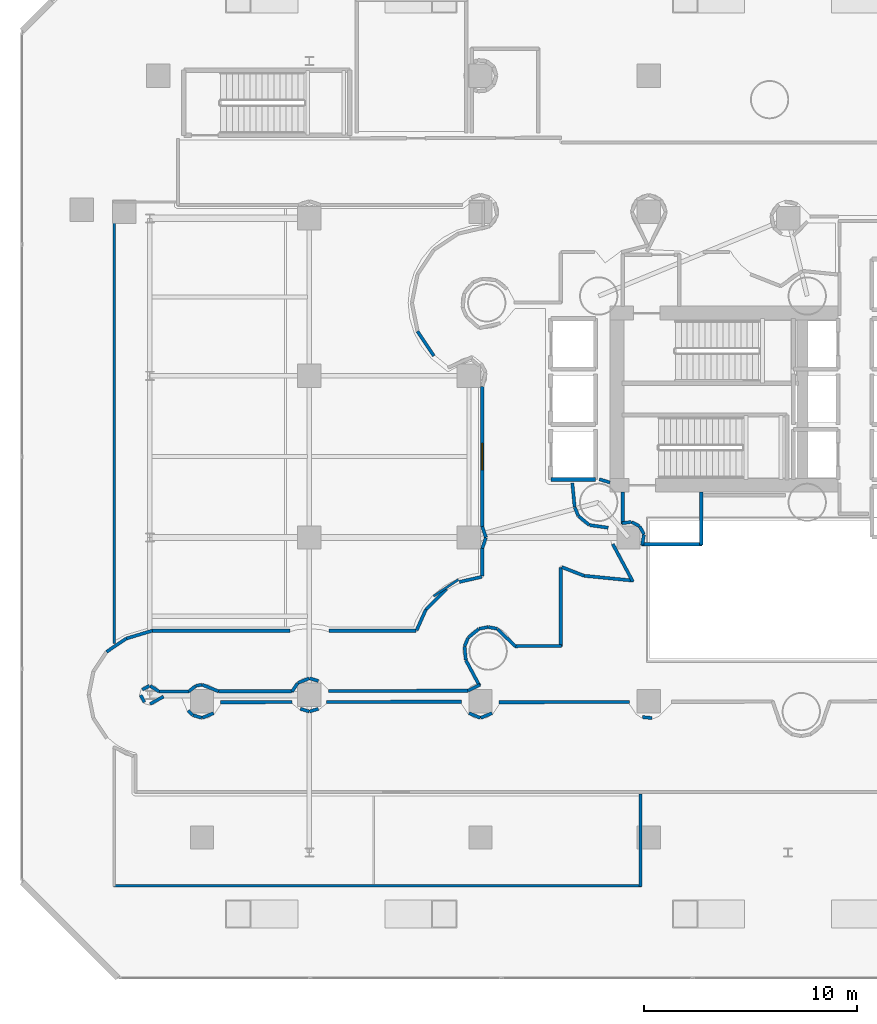
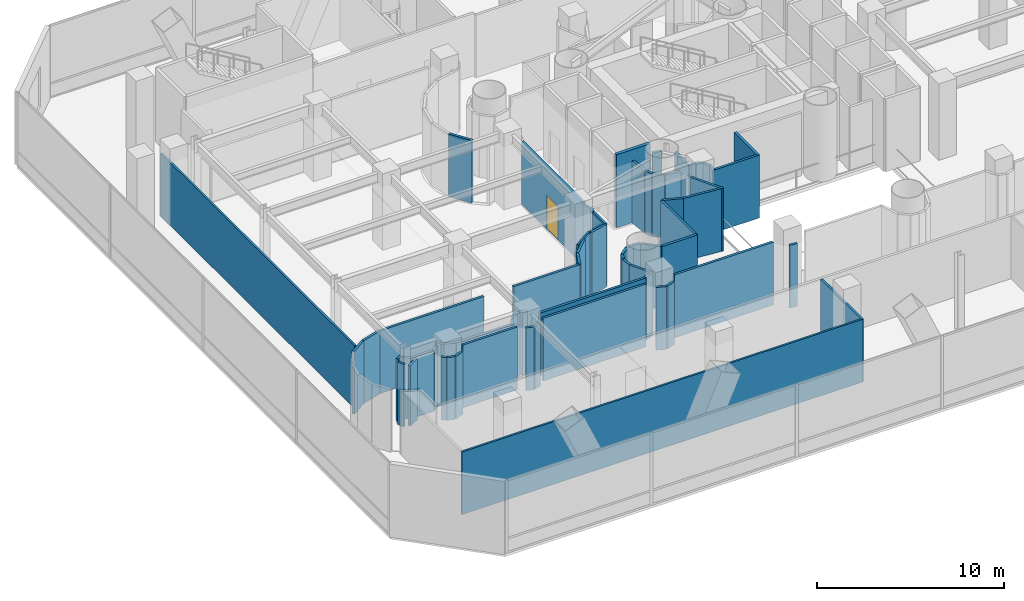
# One storey, part 31 of 42: 66 walls, 1 door, 1 opening.
"""IFC4 building model written with IfcOpenShell, lengths in metres."""

from ifc_helpers import new_model, si_unit, direction, frame, frame_2d, origin, place, context, subcontext, project, spatial, rectangle, extrude, material, layer, layer_set, type_object, element, fill, save


model = new_model("IFC4")

# Units and contexts
model_context = context("Model", 3, precision=1e-05, world=origin(), true_north=direction((0.0, 1.0)))
body_context = subcontext(model_context, "Body", "Model", "MODEL_VIEW")
ifc_project = project(units=[si_unit("LENGTHUNIT", "METRE"), si_unit("AREAUNIT", "SQUARE_METRE"), si_unit("VOLUMEUNIT", "CUBIC_METRE"), si_unit("PLANEANGLEUNIT", "RADIAN"), si_unit("MASSUNIT", "GRAM", prefix="KILO")], contexts=[model_context])

# Site, building, storey
site_placement = place(None, origin())
site = spatial("IfcSite", under=ifc_project, at=site_placement, CompositionType="ELEMENT")
building_placement = place(site_placement, origin())
building = spatial("IfcBuilding", under=site, at=building_placement, Name="Qianvela Tower", CompositionType="ELEMENT")
storey_placement = place(building_placement, frame((0.0, 0.0, 6.0)))
storey = spatial("IfcBuildingStorey", under=building, at=storey_placement, Name="L01", CompositionType="ELEMENT", Elevation=6.0)

# Walls
ifc_material_1 = material(Name="Fire-Rated Acoustic Gypsum Board")
ifc_layer_1 = layer(ifc_material_1, 0.14990234375)
ifc_layer_set_1 = layer_set([ifc_layer_1], Name="Fire-Rated Acoustic Gypsum Board")
wall_type_1 = type_object("IfcWallType", Name="WT-CORR-150", PredefinedType="PARTITIONING", material=ifc_layer_set_1)
wall_1_placement = place(storey_placement, frame((30.644775390625, 21.844970703125, 0.0), z_axis=(0.0, 0.0, 1.0), x_axis=(0.16559769087, 0.986193391165, 0.0)))
element("IfcWall", 1, at=wall_1_placement, inside=storey, type_object=wall_type_1, Name="L01 Partition 5", PredefinedType="PARTITIONING", context=body_context, shape_type="SweptSolid", body=[
    extrude(rectangle(XDim=0.495361328125, YDim=0.14990234375, at=frame_2d((0.24755859375, 0.0))), origin(), (0.0, 0.0, 1.0), 4.10009765625),
])
wall_2_placement = place(storey_placement, frame((30.7236328125, 22.35302734375, 0.0), z_axis=(0.0, 0.0, 1.0), x_axis=(-0.471202615726, 0.882024996773, 0.0)))
element("IfcWall", 2, at=wall_2_placement, inside=storey, type_object=wall_type_1, Name="L01 Partition 6", PredefinedType="PARTITIONING", context=body_context, shape_type="SweptSolid", body=[
    extrude(rectangle(XDim=0.412353515625, YDim=0.14990234375, at=frame_2d((0.2060546875, 0.0))), origin(), (0.0, 0.0, 1.0), 4.10009765625),
])
wall_3_placement = place(storey_placement, frame((30.5166015625, 22.7294921875, 0.0), z_axis=(0.0, 0.0, 1.0), x_axis=(-0.882139655073, 0.470987928665, 0.0)))
element("IfcWall", 3, at=wall_3_placement, inside=storey, type_object=wall_type_1, Name="L01 Partition 7", PredefinedType="PARTITIONING", context=body_context, shape_type="SweptSolid", body=[
    extrude(rectangle(XDim=0.412109375, YDim=0.14990234375, at=frame_2d((0.2060546875, 0.0))), origin(), (0.0, 0.0, 1.0), 4.10009765625),
])
wall_4_placement = place(storey_placement, frame((30.134521484375, 22.927001953125, 0.0), z_axis=(0.0, 0.0, 1.0), x_axis=(-0.992106976416, -0.125394367286, 0.0)))
element("IfcWall", 4, at=wall_4_placement, inside=storey, type_object=wall_type_1, Name="L01 Partition 8", PredefinedType="PARTITIONING", context=body_context, shape_type="SweptSolid", body=[
    extrude(rectangle(XDim=0.44189453125, YDim=0.14990234375, at=frame_2d((0.220947265625, 0.0))), origin(), (0.0, 0.0, 1.0), 4.10009765625),
])
wall_5_placement = place(storey_placement, frame((29.73095703125, 22.8408203125, 0.0), z_axis=(0.0, 0.0, 1.0), x_axis=(0.0, 1.0, 0.0)))
element("IfcWall", 5, at=wall_5_placement, inside=storey, type_object=wall_type_1, Name="L01 Partition 9", PredefinedType="PARTITIONING", context=body_context, shape_type="SweptSolid", body=[
    extrude(rectangle(XDim=1.501220703125, YDim=0.14990234375, at=frame_2d((0.75048828125, 0.0))), origin(), (0.0, 0.0, 1.0), 4.10009765625),
])
wall_6_placement = place(storey_placement, frame((33.4189453125, 24.342041015625, 0.0), z_axis=(0.0, 0.0, 1.0), x_axis=(0.0, -1.0, 0.0)))
element("IfcWall", 6, at=wall_6_placement, inside=storey, type_object=wall_type_1, Name="L01 Partition 11", PredefinedType="PARTITIONING", context=body_context, shape_type="SweptSolid", body=[
    extrude(rectangle(XDim=2.491943359375, YDim=0.14990234375, at=frame_2d((1.24609375, 0.0))), origin(), (0.0, 0.0, 1.0), 4.10009765625),
])
wall_7_placement = place(storey_placement, frame((33.449951171875, 21.881103515625, 0.0), z_axis=(0.0, 0.0, 1.0), x_axis=(-1.0, 0.0, 0.0)))
element("IfcWall", 7, at=wall_7_placement, inside=storey, type_object=wall_type_1, Name="L01 Partition 12", PredefinedType="PARTITIONING", context=body_context, shape_type="SweptSolid", body=[
    extrude(rectangle(XDim=2.8359375, YDim=0.14990234375, at=frame_2d((1.41796875, 0.0))), origin(), (0.0, 0.0, 1.0), 4.10009765625),
])
wall_8_placement = place(storey_placement, frame((29.1298828125, 24.781982421875, 0.0), z_axis=(0.0, 0.0, 1.0), x_axis=(-0.955000482512, 0.296604245422, 0.0)))
element("IfcWall", 8, at=wall_8_placement, inside=storey, type_object=wall_type_1, Name="L01 Partition 29", PredefinedType="PARTITIONING", context=body_context, shape_type="SweptSolid", body=[
    extrude(rectangle(XDim=0.5244140625, YDim=0.14990234375, at=frame_2d((0.26220703125, 0.0))), origin(), (0.0, 0.0, 1.0), 4.10009765625),
])
wall_9_placement = place(storey_placement, frame((9.309814453125, 14.061279296875, 0.0), z_axis=(0.0, 0.0, 1.0), x_axis=(0.707523830197, -0.706689486057, 0.0)))
element("IfcWall", 9, at=wall_9_placement, inside=storey, type_object=wall_type_1, Name="L01 Partition 37", PredefinedType="PARTITIONING", context=body_context, shape_type="SweptSolid", body=[
    extrude(rectangle(XDim=0.292724609375, YDim=0.14990234375, at=frame_2d((0.146484375, 0.0))), origin(), (0.0, 0.0, 1.0), 4.10009765625),
])
wall_10_placement = place(storey_placement, frame((9.52978515625, 13.8466796875, 0.0), z_axis=(0.0, 0.0, 1.0), x_axis=(0.956863871436, -0.290536626849, 0.0)))
element("IfcWall", 10, at=wall_10_placement, inside=storey, type_object=wall_type_1, Name="L01 Partition 38", PredefinedType="PARTITIONING", context=body_context, shape_type="SweptSolid", body=[
    extrude(rectangle(XDim=0.435302734375, YDim=0.14990234375, at=frame_2d((0.2177734375, 0.0))), origin(), (0.0, 0.0, 1.0), 4.10009765625),
])
wall_11_placement = place(storey_placement, frame((9.96728515625, 13.721435546875, 0.0), z_axis=(0.0, 0.0, 1.0), x_axis=(0.923980550035, 0.382439463389, 0.0)))
element("IfcWall", 11, at=wall_11_placement, inside=storey, type_object=wall_type_1, Name="L01 Partition 39", PredefinedType="PARTITIONING", context=body_context, shape_type="SweptSolid", body=[
    extrude(rectangle(XDim=0.573974609375, YDim=0.14990234375, at=frame_2d((0.287109375, 0.0))), origin(), (0.0, 0.0, 1.0), 4.10009765625),
])
wall_12_placement = place(storey_placement, frame((10.830322265625, 14.454345703125, 0.0), z_axis=(0.0, 0.0, 1.0), x_axis=(0.999996778646, 0.002538246954, 0.0)))
element("IfcWall", 12, at=wall_12_placement, inside=storey, type_object=wall_type_1, Name="L01 Partition 40", PredefinedType="PARTITIONING", context=body_context, shape_type="SweptSolid", body=[
    extrude(rectangle(XDim=3.366455078125, YDim=0.14990234375, at=frame_2d((1.68310546875, 0.0))), origin(), (0.0, 0.0, 1.0), 4.10009765625),
])
for number, where, z_axis, x_axis, name in (
    (13, (14.57421875, 14.146728515625, 0.0), (0.0, 0.0, 1.0), (0.956911178217, -0.29038077933, 0.0), "L01 Partition 41"),
    (14, (15.009033203125, 14.020263671875, 0.0), (0.0, 0.0, 1.0), (0.956911178217, 0.29038077933, 0.0), "L01 Partition 42"),
):
    element("IfcWall", number, at=place(storey_placement, frame(where, z_axis=z_axis, x_axis=x_axis)), inside=storey, type_object=wall_type_1, Name=name, PredefinedType="PARTITIONING", context=body_context, shape_type="SweptSolid", body=[
        extrude(rectangle(XDim=0.435546875, YDim=0.14990234375, at=frame_2d((0.2177734375, 0.0))), origin(), (0.0, 0.0, 1.0), 4.10009765625),
    ])
wall_13_placement = place(storey_placement, frame((15.808349609375, 14.466796875, 0.0), z_axis=(0.0, 0.0, 1.0), x_axis=(0.99999686996, 0.002502013032, 0.0)))
element("IfcWall", 15, at=wall_13_placement, inside=storey, type_object=wall_type_1, Name="L01 Partition 43", PredefinedType="PARTITIONING", context=body_context, shape_type="SweptSolid", body=[
    extrude(rectangle(XDim=6.342529296875, YDim=0.14990234375, at=frame_2d((3.17138671875, 0.0))), origin(), (0.0, 0.0, 1.0), 4.10009765625),
])
wall_14_placement = place(storey_placement, frame((22.50244140625, 13.94091796875, 0.0), z_axis=(0.0, 0.0, 1.0), x_axis=(0.923980550035, -0.382439463389, 0.0)))
element("IfcWall", 16, at=wall_14_placement, inside=storey, type_object=wall_type_1, Name="L01 Partition 44", PredefinedType="PARTITIONING", context=body_context, shape_type="SweptSolid", body=[
    extrude(rectangle(XDim=0.573974609375, YDim=0.14990234375, at=frame_2d((0.287109375, 0.0))), origin(), (0.0, 0.0, 1.0), 4.10009765625),
])
wall_15_placement = place(storey_placement, frame((23.056396484375, 13.721435546875, 0.0), z_axis=(0.0, 0.0, 1.0), x_axis=(0.924042733139, 0.382289193324, 0.0)))
element("IfcWall", 17, at=wall_15_placement, inside=storey, type_object=wall_type_1, Name="L01 Partition 45", PredefinedType="PARTITIONING", context=body_context, shape_type="SweptSolid", body=[
    extrude(rectangle(XDim=0.57421875, YDim=0.14990234375, at=frame_2d((0.287109375, 0.0))), origin(), (0.0, 0.0, 1.0), 4.10009765625),
])
wall_16_placement = place(storey_placement, frame((23.919677734375, 14.454345703125, 0.0), z_axis=(0.0, 0.0, 1.0), x_axis=(0.999996849312, 0.002510252281, 0.0)))
element("IfcWall", 18, at=wall_16_placement, inside=storey, type_object=wall_type_1, Name="L01 Partition 46", PredefinedType="PARTITIONING", context=body_context, shape_type="SweptSolid", body=[
    extrude(rectangle(XDim=6.127197265625, YDim=0.14990234375, at=frame_2d((3.0634765625, 0.0))), origin(), (0.0, 0.0, 1.0), 4.10009765625),
])
wall_17_placement = place(storey_placement, frame((30.65771484375, 13.7578125, 0.0), z_axis=(0.0, 0.0, 1.0), x_axis=(0.995155450719, -0.098313930367, 0.0)))
element("IfcWall", 19, at=wall_17_placement, inside=storey, type_object=wall_type_1, Name="L01 Partition 47", PredefinedType="PARTITIONING", context=body_context, shape_type="SweptSolid", body=[
    extrude(rectangle(XDim=0.447021484375, YDim=0.14990234375, at=frame_2d((0.2236328125, 0.0))), origin(), (0.0, 0.0, 1.0), 4.10009765625),
])
wall_18_placement = place(storey_placement, frame((5.466552734375, 16.82470703125, 0.0), z_axis=(0.0, 0.0, 1.0), x_axis=(0.831385943955, 0.555695431144, 0.0)))
element("IfcWall", 20, at=wall_18_placement, inside=storey, type_object=wall_type_1, Name="L01 Partition 82", PredefinedType="PARTITIONING", context=body_context, shape_type="SweptSolid", body=[
    extrude(rectangle(XDim=1.1318359375, YDim=0.14990234375, at=frame_2d((0.56591796875, 0.0))), origin(), (0.0, 0.0, 1.0), 4.10009765625),
])
wall_19_placement = place(storey_placement, frame((6.399169921875, 17.44970703125, 0.0), z_axis=(0.0, 0.0, 1.0), x_axis=(0.956969723054, 0.29018778258, 0.0)))
element("IfcWall", 21, at=wall_19_placement, inside=storey, type_object=wall_type_1, Name="L01 Partition 83", PredefinedType="PARTITIONING", context=body_context, shape_type="SweptSolid", body=[
    extrude(rectangle(XDim=1.277099609375, YDim=0.14990234375, at=frame_2d((0.638671875, 0.0))), origin(), (0.0, 0.0, 1.0), 4.10009765625),
])
wall_20_placement = place(storey_placement, frame((7.6123046875, 17.819091796875, 0.0), z_axis=(0.0, 0.0, 1.0), x_axis=(1.0, 0.0, 0.0)))
element("IfcWall", 22, at=wall_20_placement, inside=storey, type_object=wall_type_1, Name="L01 Partition 84", PredefinedType="PARTITIONING", context=body_context, shape_type="SweptSolid", body=[
    extrude(rectangle(XDim=6.4716796875, YDim=0.14990234375, at=frame_2d((3.23583984375, 0.0))), origin(), (0.0, 0.0, 1.0), 4.10009765625),
])
wall_21_placement = place(storey_placement, frame((15.916015625, 17.819091796875, 0.0), z_axis=(0.0, 0.0, 1.0), x_axis=(1.0, 0.0, 0.0)))
element("IfcWall", 23, at=wall_21_placement, inside=storey, type_object=wall_type_1, Name="L01 Partition 87", PredefinedType="PARTITIONING", context=body_context, shape_type="SweptSolid", body=[
    extrude(rectangle(XDim=4.096435546875, YDim=0.14990234375, at=frame_2d((2.04833984375, 0.0))), origin(), (0.0, 0.0, 1.0), 4.10009765625),
])
wall_22_placement = place(storey_placement, frame((20.040771484375, 17.83740234375, 0.0), z_axis=(0.0, 0.0, 1.0), x_axis=(0.408788829115, 0.912629000849, 0.0)))
element("IfcWall", 24, at=wall_22_placement, inside=storey, type_object=wall_type_1, Name="L01 Partition 88", PredefinedType="PARTITIONING", context=body_context, shape_type="SweptSolid", body=[
    extrude(rectangle(XDim=1.076171875, YDim=0.14990234375, at=frame_2d((0.5380859375, 0.0))), origin(), (0.0, 0.0, 1.0), 4.10009765625),
])
wall_23_placement = place(storey_placement, frame((20.47412109375, 18.810302734375, 0.0), z_axis=(0.0, 0.0, 1.0), x_axis=(0.707106781187, 0.707106781187, 0.0)))
element("IfcWall", 25, at=wall_23_placement, inside=storey, type_object=wall_type_1, Name="L01 Partition 89", PredefinedType="PARTITIONING", context=body_context, shape_type="SweptSolid", body=[
    extrude(rectangle(XDim=1.38525390625, YDim=0.14990234375, at=frame_2d((0.692626953125, 0.0))), origin(), (0.0, 0.0, 1.0), 4.10009765625),
])
wall_24_placement = place(storey_placement, frame((22.052490234375, 20.109619140625, 0.0), z_axis=(0.0, 0.0, 1.0), x_axis=(0.975015186626, 0.222138213392, 0.0)))
element("IfcWall", 26, at=wall_24_placement, inside=storey, type_object=wall_type_1, Name="L01 Partition 91", PredefinedType="PARTITIONING", context=body_context, shape_type="SweptSolid", body=[
    extrude(rectangle(XDim=1.08154296875, YDim=0.14990234375, at=frame_2d((0.540771484375, 0.0))), origin(), (0.0, 0.0, 1.0), 4.10009765625),
])
wall_25_placement = place(storey_placement, frame((23.131103515625, 20.380126953125, 0.0), z_axis=(0.0, 0.0, 1.0), x_axis=(0.0, 1.0, 0.0)))
element("IfcWall", 27, at=wall_25_placement, inside=storey, type_object=wall_type_1, Name="L01 Partition 92", PredefinedType="PARTITIONING", context=body_context, shape_type="SweptSolid", body=[
    extrude(rectangle(XDim=1.31689453125, YDim=0.14990234375, at=frame_2d((0.658447265625, 0.0))), origin(), (0.0, 0.0, 1.0), 4.10009765625),
])
wall_26_placement = place(storey_placement, frame((23.12939453125, 21.68701171875, 0.0), z_axis=(0.0, 0.0, 1.0), x_axis=(0.319948873135, 0.947434809673, 0.0)))
element("IfcWall", 28, at=wall_26_placement, inside=storey, type_object=wall_type_1, Name="L01 Partition 93", PredefinedType="PARTITIONING", context=body_context, shape_type="SweptSolid", body=[
    extrude(rectangle(XDim=0.531005859375, YDim=0.14990234375, at=frame_2d((0.265625, 0.0))), origin(), (0.0, 0.0, 1.0), 3.9580078125),
])
wall_27_placement = place(storey_placement, frame((23.29931640625, 22.2099609375, 0.0), z_axis=(0.0, 0.0, 1.0), x_axis=(-0.320088278557, 0.947387721015, 0.0)))
element("IfcWall", 29, at=wall_27_placement, inside=storey, type_object=wall_type_1, Name="L01 Partition 94", PredefinedType="PARTITIONING", context=body_context, shape_type="SweptSolid", body=[
    extrude(rectangle(XDim=0.53076171875, YDim=0.14990234375, at=frame_2d((0.265380859375, 0.0))), origin(), (0.0, 0.0, 1.0), 3.9580078125),
])

# Wall, opening, door
wall_28_placement = place(storey_placement, frame((23.131103515625, 22.703125, 0.0), z_axis=(0.0, 0.0, 1.0), x_axis=(0.0, 1.0, 0.0)))
wall_28 = element("IfcWall", 30, at=wall_28_placement, inside=storey, type_object=wall_type_1, Name="L01 Partition 95", PredefinedType="PARTITIONING", context=body_context, shape_type="SweptSolid", body=[
    extrude(rectangle(XDim=6.59375, YDim=0.14990234375, at=frame_2d((3.296875, 0.0))), origin(), (0.0, 0.0, 1.0), 4.10009765625),
])
opening_placement = place(wall_28_placement, frame((2.671875, 0.0, 0.0)))
opening = element("IfcOpeningElement", 31, at=opening_placement, cuts=wall_28, Name="Opening D-LG1", PredefinedType="OPENING", context=body_context, shape_type="SweptSolid", body=[
    extrude(rectangle(XDim=1.25, YDim=2.199951171875, at=frame_2d((0.625, 1.10009765625))), frame((0.0, 0.0849609375, 0.0), z_axis=(0.0, -1.0, 0.0), x_axis=(1.0, 0.0, 0.0)), (0.0, 0.0, 1.0), 0.169921875),
])
ifc_material_2 = material(Name="Anodised Aluminium Acoustic Glass Door", Category="aluminium")
door_type = type_object("IfcDoorType", Name="DT-LOUNGE-1250", OperationType="NOTDEFINED", PredefinedType="DOOR", material=ifc_material_2)
door_placement = place(opening_placement, origin())
door = element("IfcDoor", 32, at=door_placement, inside=storey, type_object=door_type, Name="L01 Door L01 Open Study Lounge West to L01 Concourse Gallery Corridor", OperationType="SINGLE_SWING_LEFT", OverallHeight=2.199951171875, OverallWidth=1.25, PredefinedType="DOOR", context=body_context, shape_type="SweptSolid", body=[
    extrude(rectangle(XDim=1.25, YDim=2.199951171875, at=frame_2d((0.625, 1.10009765625))), frame((0.0, 0.02490234375, 0.0), z_axis=(0.0, -1.0, 0.0), x_axis=(1.0, 0.0, 0.0)), (0.0, 0.0, 1.0), 0.050048828125),
])
fill(opening, door)

# Walls
wall_29_placement = place(storey_placement, frame((20.853515625, 30.735107421875, 0.0), z_axis=(0.0, 0.0, 1.0), x_axis=(-0.555594771308, 0.831453215819, 0.0)))
element("IfcWall", 33, at=wall_29_placement, inside=storey, type_object=wall_type_1, Name="L01 Partition 100", PredefinedType="PARTITIONING", context=body_context, shape_type="SweptSolid", body=[
    extrude(rectangle(XDim=1.385009765625, YDim=0.14990234375, at=frame_2d((0.6923828125, 0.0))), origin(), (0.0, 0.0, 1.0), 4.10009765625),
])
wall_30_placement = place(storey_placement, frame((27.359619140625, 24.757080078125, 0.0), z_axis=(0.0, 0.0, 1.0), x_axis=(0.097947688066, -0.995191564676, 0.0)))
element("IfcWall", 34, at=wall_30_placement, inside=storey, type_object=wall_type_1, Name="L01 Partition 170", PredefinedType="PARTITIONING", context=body_context, shape_type="SweptSolid", body=[
    extrude(rectangle(XDim=1.134033203125, YDim=0.14990234375, at=frame_2d((0.56689453125, 0.0))), origin(), (0.0, 0.0, 1.0), 4.10009765625),
])
wall_31_placement = place(storey_placement, frame((27.472900390625, 23.61962890625, 0.0), z_axis=(0.0, 0.0, 1.0), x_axis=(0.382631351728, -0.923901103298, 0.0)))
element("IfcWall", 35, at=wall_31_placement, inside=storey, type_object=wall_type_1, Name="L01 Partition 171", PredefinedType="PARTITIONING", context=body_context, shape_type="SweptSolid", body=[
    extrude(rectangle(XDim=0.43701171875, YDim=0.14990234375, at=frame_2d((0.218505859375, 0.0))), origin(), (0.0, 0.0, 1.0), 4.10009765625),
])
wall_32_placement = place(storey_placement, frame((27.649169921875, 23.203857421875, 0.0), z_axis=(0.0, 0.0, 1.0), x_axis=(0.772818338666, -0.634627304346, 0.0)))
element("IfcWall", 36, at=wall_32_placement, inside=storey, type_object=wall_type_1, Name="L01 Partition 172", PredefinedType="PARTITIONING", context=body_context, shape_type="SweptSolid", body=[
    extrude(rectangle(XDim=0.650146484375, YDim=0.14990234375, at=frame_2d((0.3251953125, 0.0))), origin(), (0.0, 0.0, 1.0), 4.10009765625),
])
wall_33_placement = place(storey_placement, frame((28.1669921875, 22.78466796875, 0.0), z_axis=(0.0, 0.0, 1.0), x_axis=(0.989291662385, -0.145952069991, 0.0)))
element("IfcWall", 37, at=wall_33_placement, inside=storey, type_object=wall_type_1, Name="L01 Partition 173", PredefinedType="PARTITIONING", context=body_context, shape_type="SweptSolid", body=[
    extrude(rectangle(XDim=0.889892578125, YDim=0.14990234375, at=frame_2d((0.44482421875, 0.0))), origin(), (0.0, 0.0, 1.0), 4.10009765625),
])
wall_34_placement = place(storey_placement, frame((29.26123046875, 21.890625, 0.0), z_axis=(0.0, 0.0, 1.0), x_axis=(0.471429586357, -0.881903705122, 0.0)))
element("IfcWall", 38, at=wall_34_placement, inside=storey, type_object=wall_type_1, Name="L01 Partition 175", PredefinedType="PARTITIONING", context=body_context, shape_type="SweptSolid", body=[
    extrude(rectangle(XDim=2.002685546875, YDim=0.14990234375, at=frame_2d((1.00146484375, 0.0))), origin(), (0.0, 0.0, 1.0), 4.10009765625),
])
wall_35_placement = place(storey_placement, frame((30.235595703125, 20.170166015625, 0.0), z_axis=(0.0, 0.0, 1.0), x_axis=(-0.995185054114, 0.098013815703, 0.0)))
element("IfcWall", 39, at=wall_35_placement, inside=storey, type_object=wall_type_1, Name="L01 Partition 176", PredefinedType="PARTITIONING", context=body_context, shape_type="SweptSolid", body=[
    extrude(rectangle(XDim=2.33642578125, YDim=0.14990234375, at=frame_2d((1.168212890625, 0.0))), origin(), (0.0, 0.0, 1.0), 4.10009765625),
])
wall_36_placement = place(storey_placement, frame((27.918701171875, 20.397216796875, 0.0), z_axis=(0.0, 0.0, 1.0), x_axis=(-0.932053116436, 0.362321663915, 0.0)))
element("IfcWall", 40, at=wall_36_placement, inside=storey, type_object=wall_type_1, Name="L01 Partition 177", PredefinedType="PARTITIONING", context=body_context, shape_type="SweptSolid", body=[
    extrude(rectangle(XDim=1.134765625, YDim=0.14990234375, at=frame_2d((0.5673828125, 0.0))), origin(), (0.0, 0.0, 1.0), 4.10009765625),
])
wall_37_placement = place(storey_placement, frame((26.819091796875, 20.779541015625, 0.0), z_axis=(0.0, 0.0, 1.0), x_axis=(0.0, -1.0, 0.0)))
element("IfcWall", 41, at=wall_37_placement, inside=storey, type_object=wall_type_1, Name="L01 Partition 178", PredefinedType="PARTITIONING", context=body_context, shape_type="SweptSolid", body=[
    extrude(rectangle(XDim=3.713623046875, YDim=0.14990234375, at=frame_2d((1.85693359375, 0.0))), origin(), (0.0, 0.0, 1.0), 4.10009765625),
])
wall_38_placement = place(storey_placement, frame((26.849853515625, 17.096923828125, 0.0), z_axis=(0.0, 0.0, 1.0), x_axis=(-0.999996725859, -0.002558959134, 0.0)))
element("IfcWall", 42, at=wall_38_placement, inside=storey, type_object=wall_type_1, Name="L01 Partition 179", PredefinedType="PARTITIONING", context=body_context, shape_type="SweptSolid", body=[
    extrude(rectangle(XDim=2.1943359375, YDim=0.14990234375, at=frame_2d((1.09716796875, 0.0))), origin(), (0.0, 0.0, 1.0), 4.10009765625),
])
wall_39_placement = place(storey_placement, frame((24.677490234375, 17.08251953125, 0.0), z_axis=(0.0, 0.0, 1.0), x_axis=(-0.713472491748, 0.700683240501, 0.0)))
element("IfcWall", 43, at=wall_39_placement, inside=storey, type_object=wall_type_1, Name="L01 Partition 180", PredefinedType="PARTITIONING", context=body_context, shape_type="SweptSolid", body=[
    extrude(rectangle(XDim=1.16455078125, YDim=0.14990234375, at=frame_2d((0.582275390625, 0.0))), origin(), (0.0, 0.0, 1.0), 4.10009765625),
])
wall_40_placement = place(storey_placement, frame((23.8310546875, 17.90673828125, 0.0), z_axis=(0.0, 0.0, 1.0), x_axis=(-0.980798750293, 0.195022592087, 0.0)))
element("IfcWall", 44, at=wall_40_placement, inside=storey, type_object=wall_type_1, Name="L01 Partition 181", PredefinedType="PARTITIONING", context=body_context, shape_type="SweptSolid", body=[
    extrude(rectangle(XDim=0.429443359375, YDim=0.14990234375, at=frame_2d((0.21484375, 0.0))), origin(), (0.0, 0.0, 1.0), 4.10009765625),
])
wall_41_placement = place(storey_placement, frame((23.39794921875, 17.990478515625, 0.0), z_axis=(0.0, 0.0, 1.0), x_axis=(-0.980777106964, -0.195131408172, 0.0)))
element("IfcWall", 45, at=wall_41_placement, inside=storey, type_object=wall_type_1, Name="L01 Partition 182", PredefinedType="PARTITIONING", context=body_context, shape_type="SweptSolid", body=[
    extrude(rectangle(XDim=0.42919921875, YDim=0.14990234375, at=frame_2d((0.214599609375, 0.0))), origin(), (0.0, 0.0, 1.0), 4.10009765625),
])
wall_42_placement = place(storey_placement, frame((22.96337890625, 17.900146484375, 0.0), z_axis=(0.0, 0.0, 1.0), x_axis=(-0.773087792469, -0.634299034474, 0.0)))
element("IfcWall", 46, at=wall_42_placement, inside=storey, type_object=wall_type_1, Name="L01 Partition 183", PredefinedType="PARTITIONING", context=body_context, shape_type="SweptSolid", body=[
    extrude(rectangle(XDim=0.638427734375, YDim=0.14990234375, at=frame_2d((0.3193359375, 0.0))), origin(), (0.0, 0.0, 1.0), 4.10009765625),
])
wall_43_placement = place(storey_placement, frame((22.460693359375, 17.48291015625, 0.0), z_axis=(0.0, 0.0, 1.0), x_axis=(-0.38283742983, -0.923815729635, 0.0)))
element("IfcWall", 47, at=wall_43_placement, inside=storey, type_object=wall_type_1, Name="L01 Partition 184", PredefinedType="PARTITIONING", context=body_context, shape_type="SweptSolid", body=[
    extrude(rectangle(XDim=0.42919921875, YDim=0.14990234375, at=frame_2d((0.214599609375, 0.0))), origin(), (0.0, 0.0, 1.0), 4.10009765625),
])
wall_44_placement = place(storey_placement, frame((22.294189453125, 17.071533203125, 0.0), z_axis=(0.0, 0.0, 1.0), x_axis=(0.098254498399, -0.995161320362, 0.0)))
element("IfcWall", 48, at=wall_44_placement, inside=storey, type_object=wall_type_1, Name="L01 Partition 185", PredefinedType="PARTITIONING", context=body_context, shape_type="SweptSolid", body=[
    extrude(rectangle(XDim=0.638671875, YDim=0.14990234375, at=frame_2d((0.3193359375, 0.0))), origin(), (0.0, 0.0, 1.0), 4.10009765625),
])
wall_45_placement = place(storey_placement, frame((22.3603515625, 16.42431640625, 0.0), z_axis=(0.0, 0.0, 1.0), x_axis=(0.471524938298, -0.881852727253, 0.0)))
element("IfcWall", 49, at=wall_45_placement, inside=storey, type_object=wall_type_1, Name="L01 Partition 186", PredefinedType="PARTITIONING", context=body_context, shape_type="SweptSolid", body=[
    extrude(rectangle(XDim=1.352294921875, YDim=0.14990234375, at=frame_2d((0.67626953125, 0.0))), origin(), (0.0, 0.0, 1.0), 4.10009765625),
])
wall_46_placement = place(storey_placement, frame((23.01171875, 15.27392578125, 0.0), z_axis=(0.0, 0.0, 1.0), x_axis=(-0.895742280426, -0.444573691368, 0.0)))
element("IfcWall", 50, at=wall_46_placement, inside=storey, type_object=wall_type_1, Name="L01 Partition 187", PredefinedType="PARTITIONING", context=body_context, shape_type="SweptSolid", body=[
    extrude(rectangle(XDim=0.62939453125, YDim=0.14990234375, at=frame_2d((0.314697265625, 0.0))), origin(), (0.0, 0.0, 1.0), 4.10009765625),
])
wall_47_placement = place(storey_placement, frame((22.461669921875, 14.997314453125, 0.0), z_axis=(0.0, 0.0, 1.0), x_axis=(-0.999996902122, -0.00248912555, 0.0)))
element("IfcWall", 51, at=wall_47_placement, inside=storey, type_object=wall_type_1, Name="L01 Partition 188", PredefinedType="PARTITIONING", context=body_context, shape_type="SweptSolid", body=[
    extrude(rectangle(XDim=6.571533203125, YDim=0.14990234375, at=frame_2d((3.28564453125, 0.0))), origin(), (0.0, 0.0, 1.0), 4.10009765625),
])
wall_48_placement = place(storey_placement, frame((15.42578125, 15.453369140625, 0.0), z_axis=(0.0, 0.0, 1.0), x_axis=(-0.957066833602, 0.289867342104, 0.0)))
element("IfcWall", 52, at=wall_48_placement, inside=storey, type_object=wall_type_1, Name="L01 Partition 189", PredefinedType="PARTITIONING", context=body_context, shape_type="SweptSolid", body=[
    extrude(rectangle(XDim=0.435546875, YDim=0.14990234375, at=frame_2d((0.2177734375, 0.0))), origin(), (0.0, 0.0, 1.0), 4.10009765625),
])
wall_49_placement = place(storey_placement, frame((14.988037109375, 15.57861328125, 0.0), z_axis=(0.0, 0.0, 1.0), x_axis=(-0.92383017907, -0.382802560388, 0.0)))
element("IfcWall", 53, at=wall_49_placement, inside=storey, type_object=wall_type_1, Name="L01 Partition 190", PredefinedType="PARTITIONING", context=body_context, shape_type="SweptSolid", body=[
    extrude(rectangle(XDim=0.573974609375, YDim=0.14990234375, at=frame_2d((0.287109375, 0.0))), origin(), (0.0, 0.0, 1.0), 4.10009765625),
])
wall_50_placement = place(storey_placement, frame((14.44384765625, 15.34765625, 0.0), z_axis=(0.0, 0.0, 1.0), x_axis=(-0.555187249954, -0.831725385863, 0.0)))
element("IfcWall", 54, at=wall_50_placement, inside=storey, type_object=wall_type_1, Name="L01 Partition 191", PredefinedType="PARTITIONING", context=body_context, shape_type="SweptSolid", body=[
    extrude(rectangle(XDim=0.462646484375, YDim=0.14990234375, at=frame_2d((0.2314453125, 0.0))), origin(), (0.0, 0.0, 1.0), 3.9580078125),
])
wall_51_placement = place(storey_placement, frame((14.212646484375, 14.976806640625, 0.0), z_axis=(0.0, 0.0, 1.0), x_axis=(-0.999996832042, -0.002517122497, 0.0)))
element("IfcWall", 55, at=wall_51_placement, inside=storey, type_object=wall_type_1, Name="L01 Partition 192", PredefinedType="PARTITIONING", context=body_context, shape_type="SweptSolid", body=[
    extrude(rectangle(XDim=3.49169921875, YDim=0.14990234375, at=frame_2d((1.745849609375, 0.0))), origin(), (0.0, 0.0, 1.0), 3.9580078125),
])
wall_52_placement = place(storey_placement, frame((10.73291015625, 14.9658203125, 0.0), z_axis=(0.0, 0.0, 1.0), x_axis=(-0.925683210057, 0.378299609593, 0.0)))
element("IfcWall", 56, at=wall_52_placement, inside=storey, type_object=wall_type_1, Name="L01 Partition 193", PredefinedType="PARTITIONING", context=body_context, shape_type="SweptSolid", body=[
    extrude(rectangle(XDim=0.827392578125, YDim=0.14990234375, at=frame_2d((0.41357421875, 0.0))), origin(), (0.0, 0.0, 1.0), 3.9580078125),
])
wall_53_placement = place(storey_placement, frame((9.949462890625, 15.280517578125, 0.0), z_axis=(0.0, 0.0, 1.0), x_axis=(-0.980772662828, -0.195153744134, 0.0)))
element("IfcWall", 57, at=wall_53_placement, inside=storey, type_object=wall_type_1, Name="L01 Partition 194", PredefinedType="PARTITIONING", context=body_context, shape_type="SweptSolid", body=[
    extrude(rectangle(XDim=0.292724609375, YDim=0.14990234375, at=frame_2d((0.146484375, 0.0))), origin(), (0.0, 0.0, 1.0), 4.10009765625),
])
wall_54_placement = place(storey_placement, frame((9.64892578125, 15.217041015625, 0.0), z_axis=(0.0, 0.0, 1.0), x_axis=(-0.77937002169, -0.626563938709, 0.0)))
element("IfcWall", 58, at=wall_54_placement, inside=storey, type_object=wall_type_1, Name="L01 Partition 195", PredefinedType="PARTITIONING", context=body_context, shape_type="SweptSolid", body=[
    extrude(rectangle(XDim=0.413818359375, YDim=0.14990234375, at=frame_2d((0.20703125, 0.0))), origin(), (0.0, 0.0, 1.0), 3.9580078125),
])
wall_55_placement = place(storey_placement, frame((9.345703125, 14.964599609375, 0.0), z_axis=(0.0, 0.0, 1.0), x_axis=(-0.999997106802, -0.002405491322, 0.0)))
element("IfcWall", 59, at=wall_55_placement, inside=storey, type_object=wall_type_1, Name="L01 Partition 196", PredefinedType="PARTITIONING", context=body_context, shape_type="SweptSolid", body=[
    extrude(rectangle(XDim=1.4208984375, YDim=0.14990234375, at=frame_2d((0.71044921875, 0.0))), origin(), (0.0, 0.0, 1.0), 3.9580078125),
])
wall_56_placement = place(storey_placement, frame((7.94140625, 14.956298828125, 0.0), z_axis=(0.0, 0.0, 1.0), x_axis=(-0.843940975131, 0.536436045112, 0.0)))
element("IfcWall", 60, at=wall_56_placement, inside=storey, type_object=wall_type_1, Name="L01 Partition 197", PredefinedType="PARTITIONING", context=body_context, shape_type="SweptSolid", body=[
    extrude(rectangle(XDim=0.50341796875, YDim=0.14990234375, at=frame_2d((0.251708984375, 0.0))), origin(), (0.0, 0.0, 1.0), 3.9580078125),
])
for number, where, z_axis, x_axis, name in (
    (61, (7.4853515625, 15.227294921875, 0.0), (0.0, 0.0, 1.0), (-0.881922386133, -0.471394638109, 0.0), "L01 Partition 198"),
    (62, (7.07275390625, 14.785400390625, 0.0), (0.0, 0.0, 1.0), (0.471394638109, -0.881922386133, 0.0), "L01 Partition 199"),
):
    element("IfcWall", number, at=place(storey_placement, frame(where, z_axis=z_axis, x_axis=x_axis)), inside=storey, type_object=wall_type_1, Name=name, PredefinedType="PARTITIONING", context=body_context, shape_type="SweptSolid", body=[
        extrude(rectangle(XDim=0.376953125, YDim=0.14990234375, at=frame_2d((0.1884765625, 0.0))), origin(), (0.0, 0.0, 1.0), 4.10009765625),
    ])
wall_57_placement = place(storey_placement, frame((7.514892578125, 14.372802734375, 0.0), z_axis=(0.0, 0.0, 1.0), x_axis=(0.874571084618, 0.484897327225, 0.0)))
element("IfcWall", 63, at=wall_57_placement, inside=storey, type_object=wall_type_1, Name="L01 Partition 200", PredefinedType="PARTITIONING", context=body_context, shape_type="SweptSolid", body=[
    extrude(rectangle(XDim=0.722900390625, YDim=0.14990234375, at=frame_2d((0.361328125, 0.0))), origin(), (0.0, 0.0, 1.0), 3.9580078125),
])
ifc_material_3 = material(Name="Lightweight Gypsum Room Partition")
ifc_layer_2 = layer(ifc_material_3, 0.10498046875)
ifc_layer_set_2 = layer_set([ifc_layer_2], Name="Lightweight Gypsum Room Partition")
wall_type_2 = type_object("IfcWallType", Name="WT-PART-105", PredefinedType="PARTITIONING", material=ifc_layer_set_2)
wall_58_placement = place(storey_placement, frame((22.00439453125, 20.222900390625, 0.0), z_axis=(0.0, 0.0, 1.0), x_axis=(-0.831755764533, -0.555141737006, 0.0)))
element("IfcWall", 64, at=wall_58_placement, inside=storey, type_object=wall_type_2, Name="L01 Partition 273", PredefinedType="PARTITIONING", context=body_context, shape_type="SweptSolid", body=[
    extrude(rectangle(XDim=1.4033203125, YDim=0.10498046875, at=frame_2d((0.70166015625, 0.0))), origin(), (0.0, 0.0, 1.0), 4.10009765625),
])
ifc_material_4 = material(Name="Insulated Gypsum Stud Partition")
ifc_layer_3 = layer(ifc_material_4, 0.1201171875)
ifc_layer_set_3 = layer_set([ifc_layer_3], Name="Insulated Gypsum Stud Partition")
wall_type_3 = type_object("IfcWallType", Name="WT-PART-120", PredefinedType="PARTITIONING", material=ifc_layer_set_3)
wall_59_placement = place(storey_placement, frame((30.60009765625, 5.8310546875, 0.0), z_axis=(0.0, 0.0, 1.0), x_axis=(-1.0, 0.0, 0.0)))
element("IfcWall", 65, at=wall_59_placement, inside=storey, type_object=wall_type_3, Name="L01 Partition 215", PredefinedType="PARTITIONING", context=body_context, shape_type="SweptSolid", body=[
    extrude(rectangle(XDim=24.800048828125, YDim=0.1201171875, at=frame_2d((12.39990234375, 0.0))), origin(), (0.0, 0.0, 1.0), 4.10009765625),
])
wall_60_placement = place(storey_placement, frame((5.8310546875, 17.218505859375, 0.0), z_axis=(0.0, 0.0, 1.0), x_axis=(0.0, 1.0, 0.0)))
element("IfcWall", 66, at=wall_60_placement, inside=storey, type_object=wall_type_3, Name="L01 Partition 278", PredefinedType="PARTITIONING", context=body_context, shape_type="SweptSolid", body=[
    extrude(rectangle(XDim=20.781494140625, YDim=0.1201171875, at=frame_2d((10.390625, 0.0))), origin(), (0.0, 0.0, 1.0), 4.10009765625),
])
ifc_material_5 = material(Name="Acoustic Double Gypsum Stud Partition")
ifc_layer_4 = layer(ifc_material_5, 0.139892578125)
ifc_layer_set_4 = layer_set([ifc_layer_4], Name="Acoustic Double Gypsum Stud Partition")
wall_type_4 = type_object("IfcWallType", Name="WT-ROOM-140", PredefinedType="PARTITIONING", material=ifc_layer_set_4)
wall_61_placement = place(storey_placement, frame((30.569091796875, 10.137939453125, 0.0), z_axis=(0.0, 0.0, 1.0), x_axis=(0.0, -1.0, 0.0)))
element("IfcWall", 67, at=wall_61_placement, inside=storey, type_object=wall_type_4, Name="L01 Partition 220", PredefinedType="PARTITIONING", context=body_context, shape_type="SweptSolid", body=[
    extrude(rectangle(XDim=4.337890625, YDim=0.139892578125, at=frame_2d((2.1689453125, 0.0))), origin(), (0.0, 0.0, 1.0), 4.10009765625),
])
ifc_material_6 = material(Name="Concrete C50", Category="concrete")
ifc_layer_5 = layer(ifc_material_6, 0.199951171875)
ifc_layer_set_5 = layer_set([ifc_layer_5], Name="Concrete C50")
wall_type_5 = type_object("IfcWallType", Name="WT-SHAFT-200", PredefinedType="SOLIDWALL", material=ifc_layer_set_5)
wall_62_placement = place(storey_placement, frame((26.35009765625, 24.919921875, 0.0), z_axis=(0.0, 0.0, 1.0), x_axis=(1.0, 0.0, 0.0)))
element("IfcWall", 68, at=wall_62_placement, inside=storey, type_object=wall_type_5, Name="L01 Lift PL-L3 S Shaft Wall", PredefinedType="SOLIDWALL", context=body_context, shape_type="SweptSolid", body=[
    extrude(rectangle(XDim=2.099853515625, YDim=0.199951171875, at=frame_2d((1.0498046875, 0.0))), origin(), (0.0, 0.0, 1.0), 4.780029296875),
])

save(model, "model.ifc")
